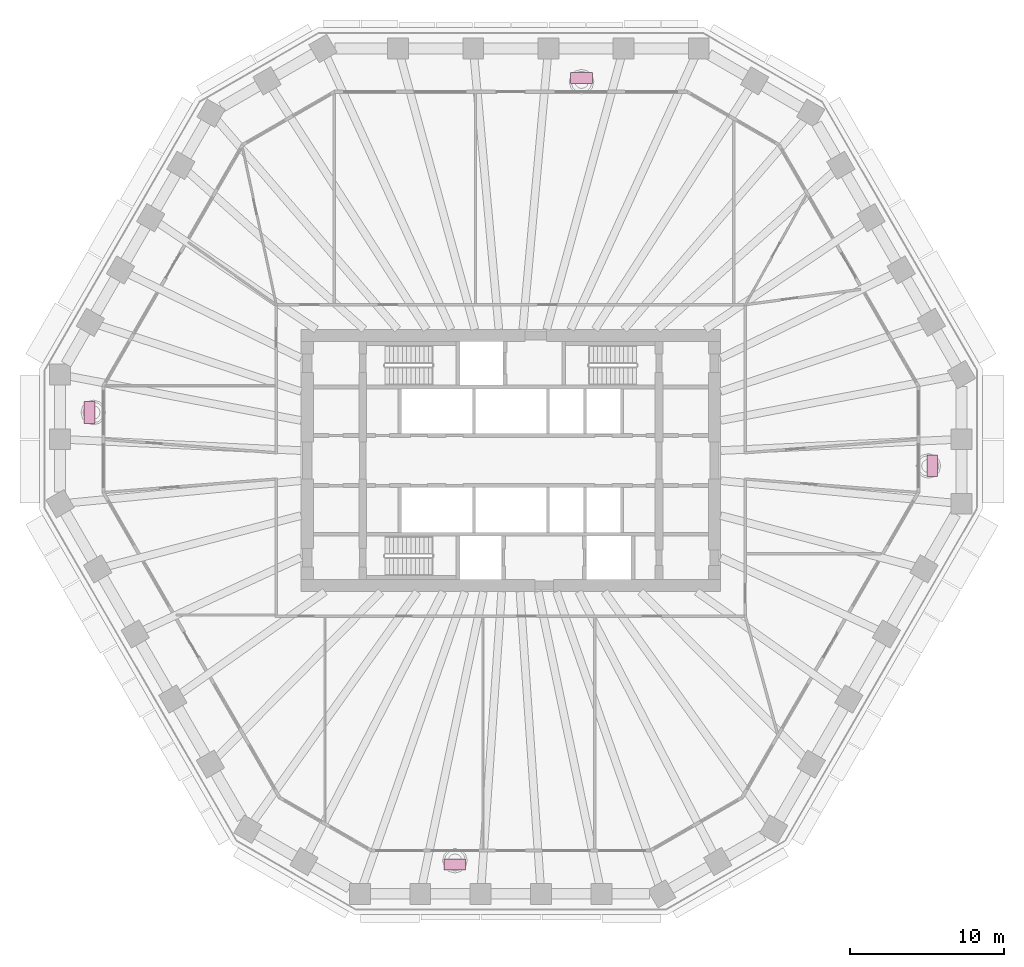
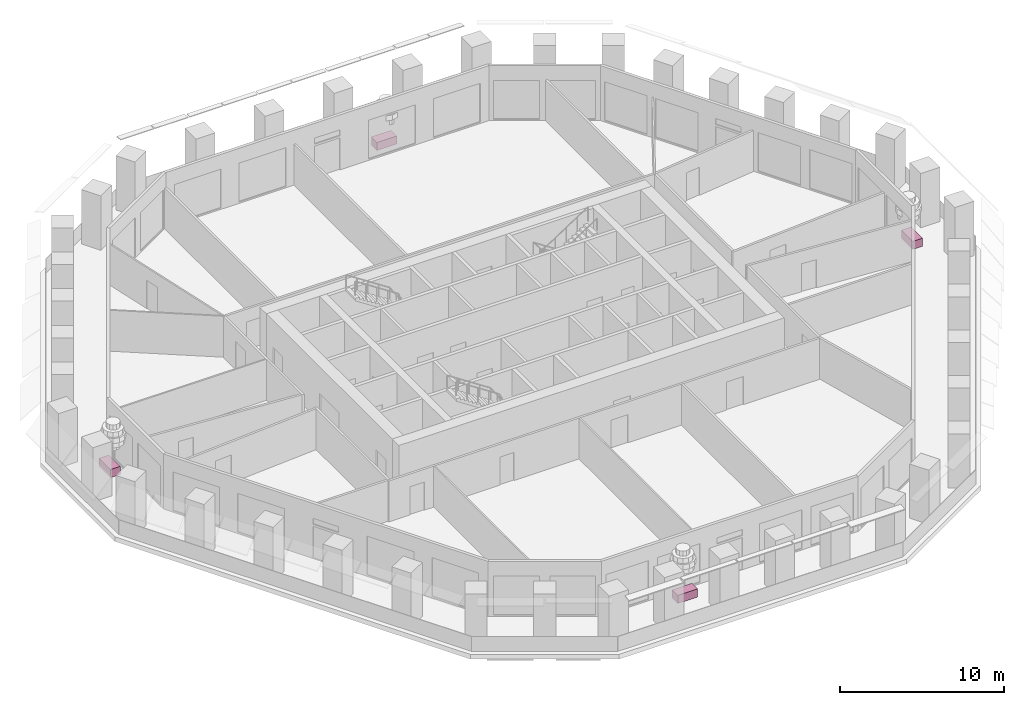
# One storey, part 11 of 12: 4 furniture elements.
"""IFC4 building model written with IfcOpenShell, lengths in metres."""

from ifc_helpers import new_model, si_unit, direction, frame, origin, origin_2d, place, context, subcontext, project, spatial, rectangle, extrude, material, type_object, element, save


model = new_model("IFC4")

# Units and contexts
model_context = context("Model", 3, precision=1e-05, world=origin(), true_north=direction((0.0, 1.0)))
body_context = subcontext(model_context, "Body", "Model", "MODEL_VIEW")
ifc_project = project(units=[si_unit("LENGTHUNIT", "METRE"), si_unit("AREAUNIT", "SQUARE_METRE"), si_unit("VOLUMEUNIT", "CUBIC_METRE"), si_unit("PLANEANGLEUNIT", "RADIAN"), si_unit("MASSUNIT", "GRAM", prefix="KILO")], contexts=[model_context])

# Site, building, storey
site_placement = place(None, origin())
site = spatial("IfcSite", under=ifc_project, at=site_placement, CompositionType="ELEMENT")
building_placement = place(site_placement, origin())
building = spatial("IfcBuilding", under=site, at=building_placement, Name="Frailejon Research Tower", CompositionType="ELEMENT")
storey_placement = place(building_placement, frame((0.0, 0.0, 126.39990234375)))
storey = spatial("IfcBuildingStorey", under=building, at=storey_placement, Name="L27", CompositionType="ELEMENT", Elevation=126.39990234375)

# Furniture
ifc_material = material(Name="Precast concrete C30/37 planter, terracotta", Category="masonry")
furniture_type = type_object("IfcFurnitureType", Name="Loggia planter 1400x700", AssemblyPlace="NOTDEFINED", PredefinedType="USERDEFINED", material=ifc_material)
for number, where, z_axis, x_axis, name in (
    (1, (27.31103515625, -0.349365234375, 0.0), (0.0, 0.0, 1.0), (0.0, 1.0, 0.0), "Planter L27"),
    (2, (4.581298828125, 24.800048828125, 0.0), (0.0, 0.0, 1.0), (-1.0, 0.0, 0.0), "Planter L27"),
    (3, (-27.31103515625, 3.11474609375, 0.0), (0.0, 0.0, 1.0), (0.0, -1.0, 0.0), "Planter L27"),
    (4, (-3.623291015625, -26.182861328125, 0.0), (0.0, 0.0, 1.0), (1.0, 0.0, 0.0), "Planter L27"),
):
    element("IfcFurniture", number, at=place(storey_placement, frame(where, z_axis=z_axis, x_axis=x_axis)), inside=storey, type_object=furniture_type, Name=name, ObjectType="PLANTER", PredefinedType="USERDEFINED", context=body_context, shape_type="SweptSolid", body=[
        extrude(rectangle(XDim=1.39990234375, YDim=0.699951171875, at=origin_2d()), origin(), (0.0, 0.0, 1.0), 0.60009765625),
    ])

save(model, "model.ifc")
